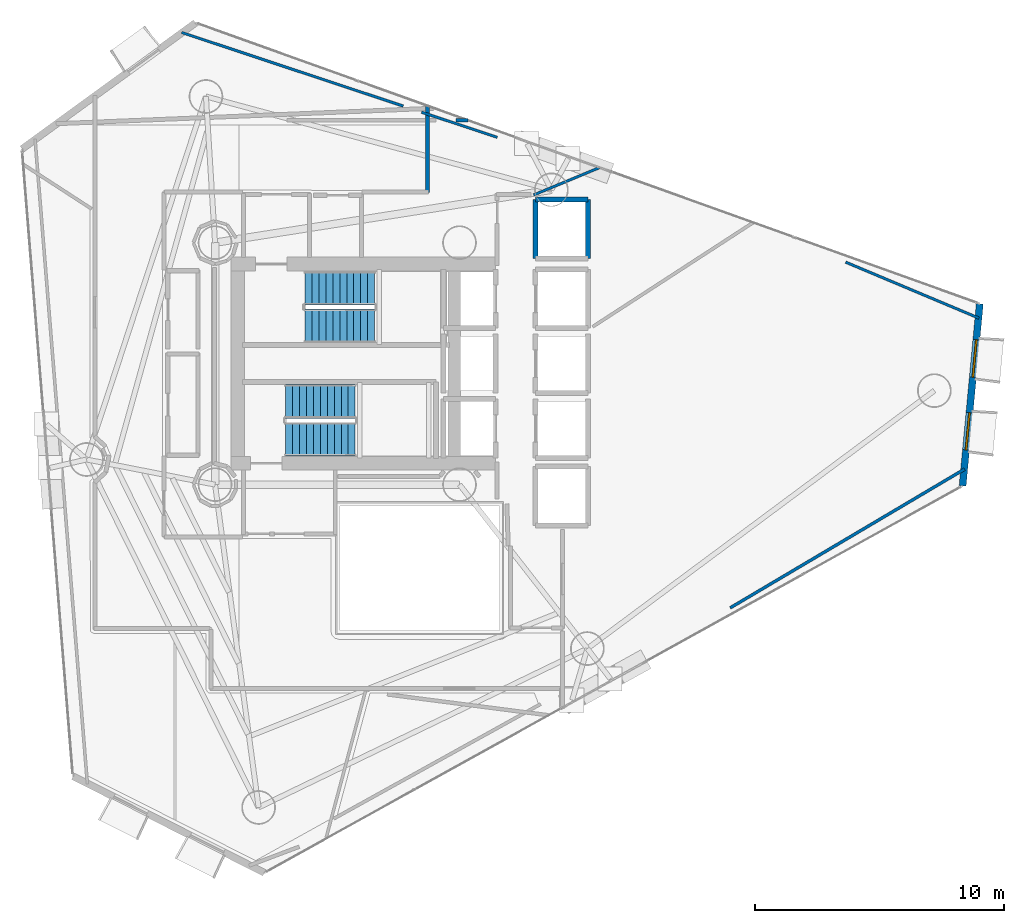
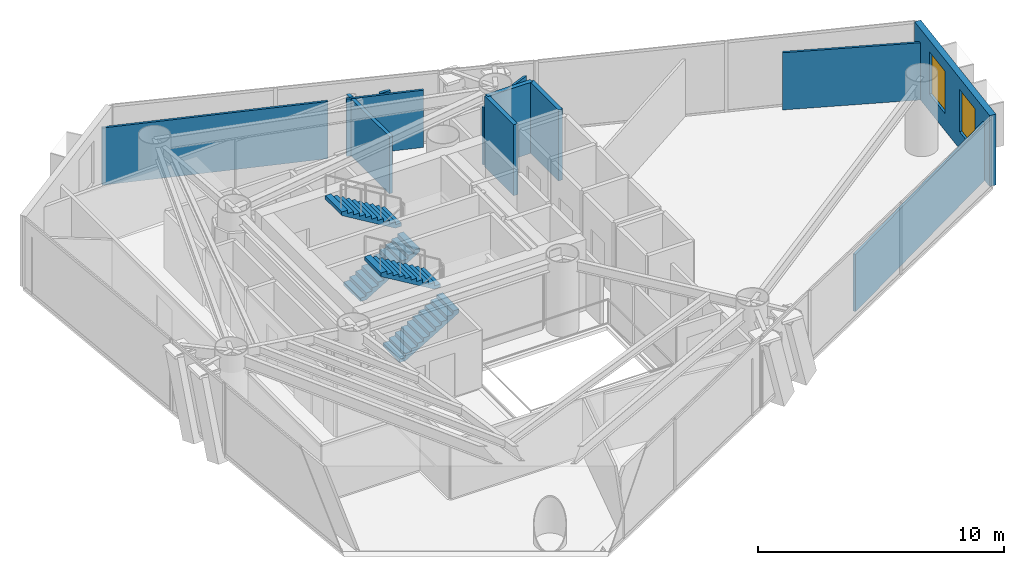
# One storey, part 20 of 21: 11 walls, 4 stair flights, 2 windows, 2 openings, 2 elements without a shape of their own.
"""IFC4 building model written with IfcOpenShell, lengths in metres."""

from ifc_helpers import new_model, si_unit, direction, frame, frame_2d, origin, place, context, subcontext, project, spatial, polyline, rectangle, outline, extrude, material, layer, layer_set, type_object, element, fill, aggregate, save


model = new_model("IFC4")

# Units and contexts
model_context = context("Model", 3, precision=1e-05, world=origin(), true_north=direction((0.0, 1.0)))
body_context = subcontext(model_context, "Body", "Model", "MODEL_VIEW")
ifc_project = project(units=[si_unit("LENGTHUNIT", "METRE"), si_unit("AREAUNIT", "SQUARE_METRE"), si_unit("VOLUMEUNIT", "CUBIC_METRE"), si_unit("PLANEANGLEUNIT", "RADIAN"), si_unit("MASSUNIT", "GRAM", prefix="KILO")], contexts=[model_context])

# Site, building, storey
site_placement = place(None, origin())
site = spatial("IfcSite", under=ifc_project, at=site_placement, CompositionType="ELEMENT")
building_placement = place(site_placement, origin())
building = spatial("IfcBuilding", under=site, at=building_placement, Name="Qianvela Tower", CompositionType="ELEMENT")
storey_placement = place(building_placement, frame((0.0, 0.0, 166.10009765625)))
storey = spatial("IfcBuildingStorey", under=building, at=storey_placement, Name="L42", CompositionType="ELEMENT", Elevation=166.10009765625)

# Wall, openings, windows
ifc_material_1 = material(Name="Terracotta Cladding on Concrete C40", Category="masonry")
ifc_layer_1 = layer(ifc_material_1, 0.280029296875)
ifc_layer_set_1 = layer_set([ifc_layer_1], Name="Terracotta Cladding on Concrete C40")
wall_type_1 = type_object("IfcWallType", Name="TERRACOTTA-WALL-280", PredefinedType="SOLIDWALL", material=ifc_layer_set_1)
wall_1_placement = place(storey_placement, frame((58.568603515625, 23.79833984375, 0.0), z_axis=(0.0, 0.0, 1.0), x_axis=(0.093801784149, 0.995590892531, 0.0)))
wall_1 = element("IfcWall", 1, at=wall_1_placement, inside=storey, type_object=wall_type_1, Name="L42 Terracotta Chamfer Facet Wall 1", PredefinedType="SOLIDWALL", context=body_context, shape_type="SweptSolid", body=[
    extrude(rectangle(XDim=7.331787109375, YDim=0.280029296875, at=frame_2d((3.666015625, 0.0))), origin(), (0.0, 0.0, 1.0), 3.52001953125),
])
opening_1_placement = place(wall_1_placement, frame((1.44970703125, 0.0, 0.85009765625)))
opening_1 = element("IfcOpeningElement", 2, at=opening_1_placement, cuts=wall_1, Name="Opening W-02", PredefinedType="OPENING", context=body_context, shape_type="SweptSolid", body=[
    extrude(rectangle(XDim=1.5, YDim=2.10009765625, at=frame_2d((0.75, 1.050048828125))), frame((0.0, 0.14990234375, 0.0), z_axis=(0.0, -1.0, 0.0), x_axis=(1.0, 0.0, 0.0)), (0.0, 0.0, 1.0), 0.300048828125),
])
opening_2_placement = place(wall_1_placement, frame((4.38232421875, 0.0, 0.85009765625)))
opening_2 = element("IfcOpeningElement", 3, at=opening_2_placement, cuts=wall_1, Name="Opening W-02", PredefinedType="OPENING", context=body_context, shape_type="SweptSolid", body=[
    extrude(rectangle(XDim=1.5, YDim=2.10009765625, at=frame_2d((0.75, 1.050048828125))), frame((0.0, 0.14990234375, 0.0), z_axis=(0.0, -1.0, 0.0), x_axis=(1.0, 0.0, 0.0)), (0.0, 0.0, 1.0), 0.300048828125),
])
ifc_material_2 = material(Name="Thermally Broken Aluminium and Low-E Glass", Category="aluminium")
window_type = type_object("IfcWindowType", Name="WIN-TC-1500x2100", PartitioningType="DOUBLE_PANEL_VERTICAL", PredefinedType="WINDOW", material=ifc_material_2)
window_1_placement = place(opening_1_placement, origin())
window_1 = element("IfcWindow", 4, at=window_1_placement, inside=storey, type_object=window_type, Name="L42 Chamfer Facet Window 1.1", OverallHeight=2.10009765625, OverallWidth=1.5, PartitioningType="SINGLE_PANEL", PredefinedType="WINDOW", context=body_context, shape_type="SweptSolid", body=[
    extrude(rectangle(XDim=1.5, YDim=2.10009765625, at=frame_2d((0.75, 1.050048828125))), frame((0.0, 0.030029296875, 0.0), z_axis=(0.0, -1.0, 0.0), x_axis=(1.0, 0.0, 0.0)), (0.0, 0.0, 1.0), 0.06005859375),
])
fill(opening_1, window_1)
window_2_placement = place(opening_2_placement, origin())
window_2 = element("IfcWindow", 5, at=window_2_placement, inside=storey, type_object=window_type, Name="L42 Chamfer Facet Window 1.2", OverallHeight=2.10009765625, OverallWidth=1.5, PartitioningType="SINGLE_PANEL", PredefinedType="WINDOW", context=body_context, shape_type="SweptSolid", body=[
    extrude(rectangle(XDim=1.5, YDim=2.10009765625, at=frame_2d((0.75, 1.050048828125))), frame((0.0, 0.030029296875, 0.0), z_axis=(0.0, -1.0, 0.0), x_axis=(1.0, 0.0, 0.0)), (0.0, 0.0, 1.0), 0.06005859375),
])
fill(opening_2, window_2)

# Walls
ifc_material_3 = material(Name="Fire-Rated Gypsum and Concrete Block", Category="concrete")
ifc_layer_2 = layer(ifc_material_3, 0.159912109375)
ifc_layer_set_2 = layer_set([ifc_layer_2], Name="Fire-Rated Gypsum and Concrete Block")
wall_type_2 = type_object("IfcWallType", Name="WT-CORR-160", PredefinedType="PARTITIONING", material=ifc_layer_set_2)
wall_2_placement = place(storey_placement, frame((37.118896484375, 39.0498046875, 0.0), z_axis=(0.0, 0.0, 1.0), x_axis=(0.0, -1.0, 0.0)))
element("IfcWall", 6, at=wall_2_placement, inside=storey, type_object=wall_type_2, Name="L42 Partition 51", PredefinedType="PARTITIONING", context=body_context, shape_type="SweptSolid", body=[
    extrude(rectangle(XDim=3.48974609375, YDim=0.159912109375, at=frame_2d((1.744873046875, 0.0))), origin(), (0.0, 0.0, 1.0), 2.83984375),
])
ifc_material_4 = material(Name="Lightweight Gypsum Room Partition")
ifc_layer_3 = layer(ifc_material_4, 0.10498046875)
ifc_layer_set_3 = layer_set([ifc_layer_3], Name="Lightweight Gypsum Room Partition")
wall_type_3 = type_object("IfcWallType", Name="WT-PART-105", PredefinedType="PARTITIONING", material=ifc_layer_set_3)
wall_3_placement = place(storey_placement, frame((53.88037109375, 32.769287109375, 0.0), z_axis=(0.0, 0.0, 1.0), x_axis=(0.92192462752, -0.387369308505, 0.0)))
element("IfcWall", 7, at=wall_3_placement, inside=storey, type_object=wall_type_3, Name="L42 Partition 82 seg 1", PredefinedType="PARTITIONING", context=body_context, shape_type="SweptSolid", body=[
    extrude(rectangle(XDim=5.7939453125, YDim=0.10498046875, at=frame_2d((2.89697265625, 0.0))), origin(), (0.0, 0.0, 1.0), 2.83984375),
])
wall_4_placement = place(storey_placement, frame((27.257080078125, 41.978271484375, 0.0), z_axis=(0.0, 0.0, 1.0), x_axis=(0.948998341585, -0.315281061387, 0.0)))
element("IfcWall", 8, at=wall_4_placement, inside=storey, type_object=wall_type_3, Name="L42 Partition 91 seg 1", PredefinedType="PARTITIONING", context=body_context, shape_type="SweptSolid", body=[
    extrude(rectangle(XDim=9.36279296875, YDim=0.10498046875, at=frame_2d((4.681396484375, 0.0))), origin(), (0.0, 0.0, 1.0), 2.83984375),
])
wall_5_placement = place(storey_placement, frame((44.012939453125, 36.559814453125, 0.0), z_axis=(0.0, 0.0, 1.0), x_axis=(-0.92343251963, -0.383760839181, 0.0)))
element("IfcWall", 9, at=wall_5_placement, inside=storey, type_object=wall_type_3, Name="L42 Partition 97", PredefinedType="PARTITIONING", context=body_context, shape_type="SweptSolid", body=[
    extrude(rectangle(XDim=2.86083984375, YDim=0.10498046875, at=frame_2d((1.430419921875, 0.0))), origin(), (0.0, 0.0, 1.0), 2.83984375),
])
wall_6_placement = place(storey_placement, frame((36.8798828125, 38.781494140625, 0.0), z_axis=(0.0, 0.0, 1.0), x_axis=(0.94899568113, -0.315289069263, 0.0)))
element("IfcWall", 10, at=wall_6_placement, inside=storey, type_object=wall_type_3, Name="L42 Partition 91 seg 1 trim 1", PredefinedType="PARTITIONING", context=body_context, shape_type="SweptSolid", body=[
    extrude(rectangle(XDim=3.199462890625, YDim=0.10498046875, at=frame_2d((1.599609375, 0.0))), origin(), (0.0, 0.0, 1.0), 2.83984375),
])
ifc_material_5 = material(Name="Insulated Gypsum Stud Partition")
ifc_layer_4 = layer(ifc_material_5, 0.1201171875)
ifc_layer_set_4 = layer_set([ifc_layer_4], Name="Insulated Gypsum Stud Partition")
wall_type_4 = type_object("IfcWallType", Name="WT-PART-120", PredefinedType="PARTITIONING", material=ifc_layer_set_4)
wall_7_placement = place(storey_placement, frame((58.648681640625, 24.47265625, 0.0), z_axis=(0.0, 0.0, 1.0), x_axis=(-0.860528893232, -0.509401633205, 0.0)))
element("IfcWall", 11, at=wall_7_placement, inside=storey, type_object=wall_type_4, Name="L42 Partition 84 seg 1", PredefinedType="PARTITIONING", context=body_context, shape_type="SweptSolid", body=[
    extrude(rectangle(XDim=10.922607421875, YDim=0.1201171875, at=frame_2d((5.46142578125, 0.0))), origin(), (0.0, 0.0, 1.0), 2.83984375),
])
ifc_material_6 = material(Name="Acoustic Double Gypsum Stud Partition")
ifc_layer_5 = layer(ifc_material_6, 0.139892578125)
ifc_layer_set_5 = layer_set([ifc_layer_5], Name="Acoustic Double Gypsum Stud Partition")
wall_type_5 = type_object("IfcWallType", Name="WT-ROOM-140", PredefinedType="PARTITIONING", material=ifc_layer_set_5)
wall_8_placement = place(storey_placement, frame((38.736328125, 38.45751953125, 0.0), z_axis=(0.0, 0.0, 1.0), x_axis=(-1.0, 0.0, 0.0)))
element("IfcWall", 12, at=wall_8_placement, inside=storey, type_object=wall_type_5, Name="L42 Partition 104 seg 1 trim 1", PredefinedType="PARTITIONING", context=body_context, shape_type="SweptSolid", body=[
    extrude(rectangle(XDim=0.477294921875, YDim=0.139892578125, at=frame_2d((0.23876953125, 0.0))), origin(), (0.0, 0.0, 1.0), 2.83984375),
])
ifc_material_7 = material(Name="Concrete C50", Category="concrete")
ifc_layer_6 = layer(ifc_material_7, 0.199951171875)
ifc_layer_set_6 = layer_set([ifc_layer_6], Name="Concrete C50")
wall_type_6 = type_object("IfcWallType", Name="WT-SHAFT-200", PredefinedType="SOLIDWALL", material=ifc_layer_set_6)
for number, where, z_axis, x_axis, name in (
    (13, (43.550048828125, 32.919921875, 0.0), (0.0, 0.0, 1.0), (0.0, 1.0, 0.0), "L42 Lift PL-H3 E Shaft Wall"),
    (14, (41.449951171875, 32.919921875, 0.0), (0.0, 0.0, 1.0), (0.0, 1.0, 0.0), "L42 Lift PL-H3 W Shaft Wall"),
):
    element("IfcWall", number, at=place(storey_placement, frame(where, z_axis=z_axis, x_axis=x_axis)), inside=storey, type_object=wall_type_6, Name=name, PredefinedType="SOLIDWALL", context=body_context, shape_type="SweptSolid", body=[
        extrude(rectangle(XDim=2.360107421875, YDim=0.199951171875, at=frame_2d((1.18017578125, 0.0))), origin(), (0.0, 0.0, 1.0), 3.52001953125),
    ])
wall_9_placement = place(storey_placement, frame((41.449951171875, 35.280029296875, 0.0), z_axis=(0.0, 0.0, 1.0), x_axis=(1.0, 0.0, 0.0)))
element("IfcWall", 15, at=wall_9_placement, inside=storey, type_object=wall_type_6, Name="L42 Lift PL-H3 N Shaft Wall", PredefinedType="SOLIDWALL", context=body_context, shape_type="SweptSolid", body=[
    extrude(rectangle(XDim=2.10009765625, YDim=0.199951171875, at=frame_2d((1.050048828125, 0.0))), origin(), (0.0, 0.0, 1.0), 3.52001953125),
])

# Stair, stair flights
ifc_material_8 = material(Name="Concrete C40", Category="concrete")
stair_type = type_object("IfcStairType", Name="ST-DOGLEG-1350-R168-N22", PredefinedType="HALF_TURN_STAIR", material=ifc_material_8)
stair_1_placement = place(storey_placement, origin())
stair_1 = element("IfcStair", 16, at=stair_1_placement, inside=storey, type_object=stair_type, Name="L42 Smoke-Proof Core Stair ST-1", PredefinedType="HALF_TURN_STAIR")
ifc_material_9 = material(Name="Concrete C40", Category="concrete")
stair_flight_type = type_object("IfcStairFlightType", Name="STF-STRAIGHT-R168-P11", PredefinedType="STRAIGHT", material=ifc_material_9)
stair_flight_1_placement = place(storey_placement, frame((32.199951171875, 30.215087890625, 0.0), z_axis=(0.0, 0.0, 1.0), x_axis=(1.0, 0.0, 0.0)))
stair_flight_1 = element("IfcStairFlight", 17, at=stair_flight_1_placement, type_object=stair_flight_type, Name="ST-1 flight 1", NumberOfRisers=11, NumberOfTreads=10, PredefinedType="STRAIGHT", RiserHeight=0.168181818, TreadLength=0.28, context=body_context, shape_type="SweptSolid", body=[
    extrude(outline(polyline([(0.0, 0.0), (0.0, 0.168212890625), (0.280029296875, 0.168212890625), (0.280029296875, 0.33642578125), (0.56005859375, 0.33642578125), (0.56005859375, 0.504638671875), (0.840087890625, 0.504638671875), (0.840087890625, 0.672607421875), (1.1201171875, 0.672607421875), (1.1201171875, 0.8408203125), (1.39990234375, 0.8408203125), (1.39990234375, 1.009033203125), (1.679931640625, 1.009033203125), (1.679931640625, 1.17724609375), (1.9599609375, 1.17724609375), (1.9599609375, 1.345458984375), (2.239990234375, 1.345458984375), (2.239990234375, 1.513671875), (2.52001953125, 1.513671875), (2.52001953125, 1.681884765625), (2.800048828125, 1.681884765625), (2.800048828125, 1.85009765625), (2.800048828125, 1.5068359375), (0.291015625, 0.0), (0.0, 0.0)])), frame((0.0, 0.675048828125, 0.0), z_axis=(0.0, -1.0, 0.0), x_axis=(1.0, 0.0, 0.0)), (0.0, 0.0, 1.0), 1.35009765625),
])
stair_flight_2_placement = place(storey_placement, frame((35.0, 31.72509765625, 1.849853515625), z_axis=(0.0, 0.0, 1.0), x_axis=(-1.0, 0.0, 0.0)))
stair_flight_2 = element("IfcStairFlight", 18, at=stair_flight_2_placement, type_object=stair_flight_type, Name="ST-1 flight 2", NumberOfRisers=11, NumberOfTreads=10, PredefinedType="STRAIGHT", RiserHeight=0.168181818, TreadLength=0.28, context=body_context, shape_type="SweptSolid", body=[
    extrude(outline(polyline([(0.0, 0.0), (0.0, 0.168212890625), (0.280029296875, 0.168212890625), (0.280029296875, 0.33642578125), (0.56005859375, 0.33642578125), (0.56005859375, 0.504638671875), (0.840087890625, 0.504638671875), (0.840087890625, 0.672607421875), (1.1201171875, 0.672607421875), (1.1201171875, 0.8408203125), (1.39990234375, 0.8408203125), (1.39990234375, 1.009033203125), (1.679931640625, 1.009033203125), (1.679931640625, 1.17724609375), (1.9599609375, 1.17724609375), (1.9599609375, 1.345458984375), (2.239990234375, 1.345458984375), (2.239990234375, 1.513671875), (2.52001953125, 1.513671875), (2.52001953125, 1.681884765625), (2.800048828125, 1.681884765625), (2.800048828125, 1.85009765625), (2.800048828125, 1.5068359375), (0.291015625, 0.0), (0.0, 0.0)])), frame((0.0, 0.675048828125, 0.0), z_axis=(0.0, -1.0, 0.0), x_axis=(1.0, 0.0, 0.0)), (0.0, 0.0, 1.0), 1.35009765625),
])
aggregate(stair_1, [stair_flight_1, stair_flight_2])

stair_2_placement = place(storey_placement, origin())
stair_2 = element("IfcStair", 19, at=stair_2_placement, inside=storey, type_object=stair_type, Name="L42 Smoke-Proof Core Stair ST-2", PredefinedType="HALF_TURN_STAIR")
stair_flight_3_placement = place(storey_placement, frame((31.419921875, 25.675048828125, 0.0), z_axis=(0.0, 0.0, 1.0), x_axis=(1.0, 0.0, 0.0)))
stair_flight_3 = element("IfcStairFlight", 20, at=stair_flight_3_placement, type_object=stair_flight_type, Name="ST-2 flight 1", NumberOfRisers=11, NumberOfTreads=10, PredefinedType="STRAIGHT", RiserHeight=0.168181818, TreadLength=0.28, context=body_context, shape_type="SweptSolid", body=[
    extrude(outline(polyline([(0.0, 0.0), (0.0, 0.168212890625), (0.280029296875, 0.168212890625), (0.280029296875, 0.33642578125), (0.56005859375, 0.33642578125), (0.56005859375, 0.504638671875), (0.840087890625, 0.504638671875), (0.840087890625, 0.672607421875), (1.1201171875, 0.672607421875), (1.1201171875, 0.8408203125), (1.39990234375, 0.8408203125), (1.39990234375, 1.009033203125), (1.679931640625, 1.009033203125), (1.679931640625, 1.17724609375), (1.9599609375, 1.17724609375), (1.9599609375, 1.345458984375), (2.239990234375, 1.345458984375), (2.239990234375, 1.513671875), (2.52001953125, 1.513671875), (2.52001953125, 1.681884765625), (2.800048828125, 1.681884765625), (2.800048828125, 1.85009765625), (2.800048828125, 1.5068359375), (0.291015625, 0.0), (0.0, 0.0)])), frame((0.0, 0.675048828125, 0.0), z_axis=(0.0, -1.0, 0.0), x_axis=(1.0, 0.0, 0.0)), (0.0, 0.0, 1.0), 1.35009765625),
])
stair_flight_4_placement = place(storey_placement, frame((34.219970703125, 27.18505859375, 1.849853515625), z_axis=(0.0, 0.0, 1.0), x_axis=(-1.0, 0.0, 0.0)))
stair_flight_4 = element("IfcStairFlight", 21, at=stair_flight_4_placement, type_object=stair_flight_type, Name="ST-2 flight 2", NumberOfRisers=11, NumberOfTreads=10, PredefinedType="STRAIGHT", RiserHeight=0.168181818, TreadLength=0.28, context=body_context, shape_type="SweptSolid", body=[
    extrude(outline(polyline([(0.0, 0.0), (0.0, 0.168212890625), (0.280029296875, 0.168212890625), (0.280029296875, 0.33642578125), (0.56005859375, 0.33642578125), (0.56005859375, 0.504638671875), (0.840087890625, 0.504638671875), (0.840087890625, 0.672607421875), (1.1201171875, 0.672607421875), (1.1201171875, 0.8408203125), (1.39990234375, 0.8408203125), (1.39990234375, 1.009033203125), (1.679931640625, 1.009033203125), (1.679931640625, 1.17724609375), (1.9599609375, 1.17724609375), (1.9599609375, 1.345458984375), (2.239990234375, 1.345458984375), (2.239990234375, 1.513671875), (2.52001953125, 1.513671875), (2.52001953125, 1.681884765625), (2.800048828125, 1.681884765625), (2.800048828125, 1.85009765625), (2.800048828125, 1.5068359375), (0.291015625, 0.0), (0.0, 0.0)])), frame((0.0, 0.675048828125, 0.0), z_axis=(0.0, -1.0, 0.0), x_axis=(1.0, 0.0, 0.0)), (0.0, 0.0, 1.0), 1.35009765625),
])
aggregate(stair_2, [stair_flight_3, stair_flight_4])

save(model, "model.ifc")
